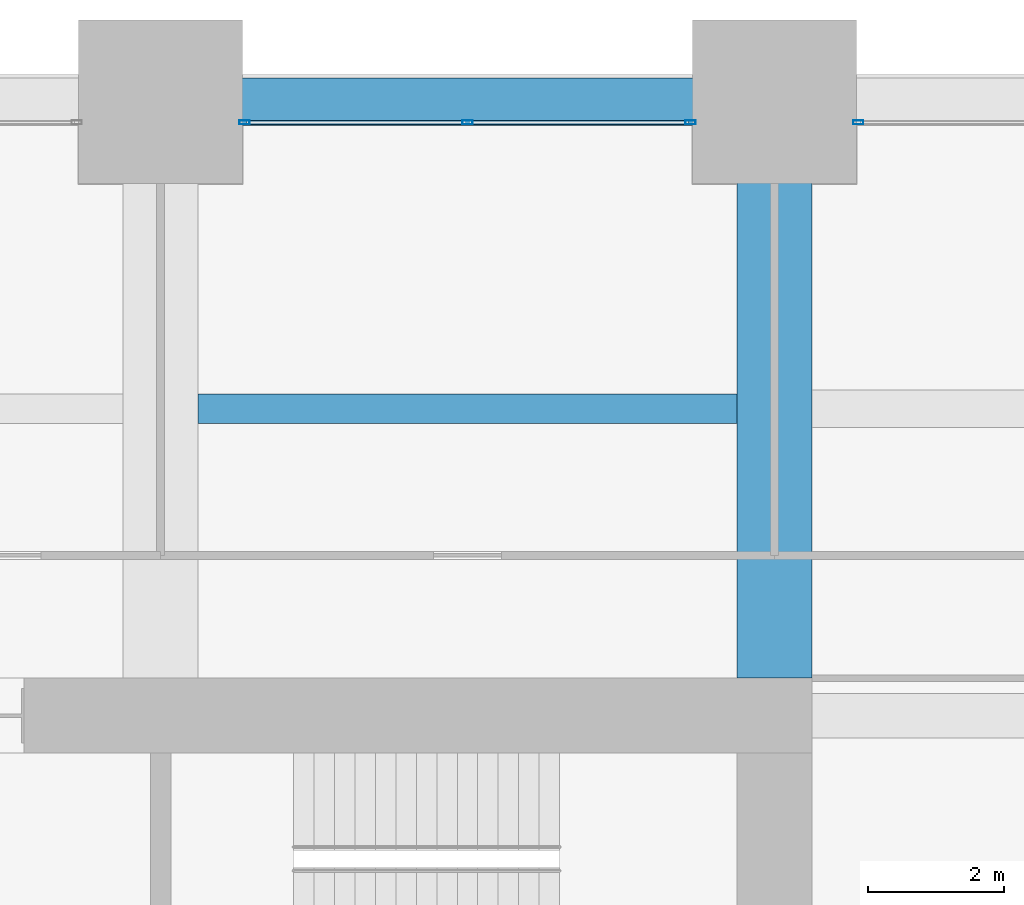
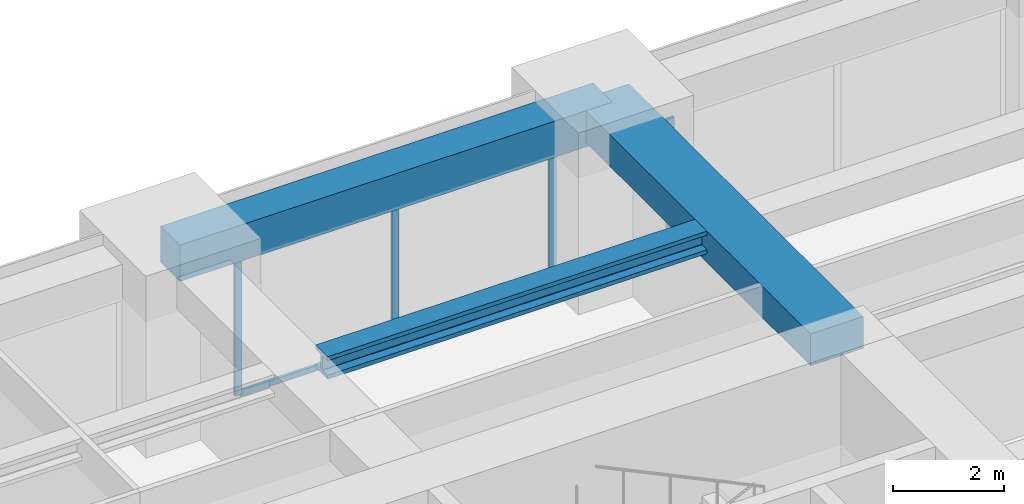
# One storey, part 30 of 41: 5 members, 3 beams, 2 elements without a shape of their own.
"""IFC4 building model written with IfcOpenShell, lengths in metres."""

from ifc_helpers import new_model, si_unit, direction, frame, origin, origin_2d, place, context, subcontext, project, spatial, rectangle, hollow_rectangle, i_section, extrude, material, material_profile, profile_set, type_object, element, aggregate, save


model = new_model("IFC4")

# Units and contexts
model_context = context("Model", 3, precision=1e-05, world=origin(), true_north=direction((0.0, 1.0)))
body_context = subcontext(model_context, "Body", "Model", "MODEL_VIEW")
ifc_project = project(units=[si_unit("LENGTHUNIT", "METRE"), si_unit("AREAUNIT", "SQUARE_METRE"), si_unit("VOLUMEUNIT", "CUBIC_METRE"), si_unit("PLANEANGLEUNIT", "RADIAN"), si_unit("MASSUNIT", "GRAM", prefix="KILO")], contexts=[model_context])

# Site, building, storey
site_placement = place(None, origin())
site = spatial("IfcSite", under=ifc_project, at=site_placement, CompositionType="ELEMENT")
building_placement = place(site_placement, origin())
building = spatial("IfcBuilding", under=site, at=building_placement, Name="Zorevar Civic Tower", CompositionType="ELEMENT")
storey_placement = place(building_placement, frame((0.0, 0.0, 137.0)))
storey = spatial("IfcBuildingStorey", under=building, at=storey_placement, Name="L33", CompositionType="ELEMENT", Elevation=137.0)

# Beam
ifc_material_1 = material(Name="Concrete C50/60", Category="concrete")
ifc_material_profile_1 = material_profile(ifc_material_1, rectangle(XDim=1.10009765625, YDim=0.699951171875, at=origin_2d()), Name="RC 1100x700")
ifc_profile_set_1 = profile_set([ifc_material_profile_1], Name="Concrete C50/60")
beam_type_1 = type_object("IfcBeamType", Name="Beam RC 1100x700", PredefinedType="BEAM", material=ifc_profile_set_1)
beam_1_placement = place(storey_placement, frame((45.0, 36.550048828125, 3.39990234375), z_axis=(0.0, 1.0, 0.0), x_axis=(-1.0, 0.0, 0.0)))
element("IfcBeam", 1, at=beam_1_placement, inside=storey, type_object=beam_type_1, Name="Girder L34", PredefinedType="BEAM", context=body_context, shape_type="SweptSolid", body=[
    extrude(rectangle(XDim=1.10009765625, YDim=0.699951171875, at=origin_2d()), origin(), (0.0, 0.0, 1.0), 8.449951171875),
])

# Curtain wall, members
ifc_material_2 = material(Name="Dark grey solar-control glass in black aluminium frame", Category="aluminium")
curtain_wall_type = type_object("IfcCurtainWallType", Name="Curtain wall CW3 mid zone", PredefinedType="NOTDEFINED", material=ifc_material_2)
curtain_wall_1_placement = place(storey_placement, origin())
curtain_wall_1 = element("IfcCurtainWall", 2, at=curtain_wall_1_placement, inside=storey, type_object=curtain_wall_type, Name="CW3 L33", PredefinedType="NOTDEFINED")
ifc_material_3 = material(Name="Aluminium, black anodised", Category="aluminium")
ifc_material_profile_2 = material_profile(ifc_material_3, hollow_rectangle(XDim=0.06005859375, YDim=0.14990234375, WallThickness=0.00390625, at=origin_2d()), Name="AL 150x60x4")
ifc_profile_set_2 = profile_set([ifc_material_profile_2], Name="Aluminium, black anodised")
member_type_1 = type_object("IfcMemberType", Name="CW3 mullion AL 150x60x4", PredefinedType="MULLION", material=ifc_profile_set_2)
member_1_placement = place(storey_placement, frame((37.22998046875, 44.699951171875, 0.0), z_axis=(0.0, 0.0, 1.0), x_axis=(0.0, 1.0, 0.0)))
member_1 = element("IfcMember", 3, at=member_1_placement, type_object=member_type_1, Name="CW3 mullion 1", PredefinedType="MULLION", context=body_context, shape_type="SweptSolid", body=[
    extrude(hollow_rectangle(XDim=0.06005859375, YDim=0.14990234375, WallThickness=0.00390625, at=origin_2d()), origin(), (0.0, 0.0, 1.0), 2.949951171875),
])
member_2_placement = place(storey_placement, frame((40.5, 44.699951171875, 0.06005859375), z_axis=(0.0, 0.0, 1.0), x_axis=(0.0, 1.0, 0.0)))
member_2 = element("IfcMember", 4, at=member_2_placement, type_object=member_type_1, Name="CW3 mullion 2", PredefinedType="MULLION", context=body_context, shape_type="SweptSolid", body=[
    extrude(hollow_rectangle(XDim=0.06005859375, YDim=0.14990234375, WallThickness=0.00390625, at=origin_2d()), origin(), (0.0, 0.0, 1.0), 2.889892578125),
])
member_3_placement = place(storey_placement, frame((43.77001953125, 44.699951171875, 0.0), z_axis=(0.0, 0.0, 1.0), x_axis=(0.0, 1.0, 0.0)))
member_3 = element("IfcMember", 5, at=member_3_placement, type_object=member_type_1, Name="CW3 mullion 3", PredefinedType="MULLION", context=body_context, shape_type="SweptSolid", body=[
    extrude(hollow_rectangle(XDim=0.06005859375, YDim=0.14990234375, WallThickness=0.00390625, at=origin_2d()), origin(), (0.0, 0.0, 1.0), 2.949951171875),
])

# Curtain wall, member
curtain_wall_2_placement = place(storey_placement, origin())
curtain_wall_2 = element("IfcCurtainWall", 6, at=curtain_wall_2_placement, inside=storey, type_object=curtain_wall_type, Name="CW3 L33", PredefinedType="NOTDEFINED")
member_4_placement = place(storey_placement, frame((46.22998046875, 44.699951171875, 0.0), z_axis=(0.0, 0.0, 1.0), x_axis=(0.0, 1.0, 0.0)))
member_4 = element("IfcMember", 7, at=member_4_placement, type_object=member_type_1, Name="CW3 mullion 1", PredefinedType="MULLION", context=body_context, shape_type="SweptSolid", body=[
    extrude(hollow_rectangle(XDim=0.06005859375, YDim=0.14990234375, WallThickness=0.00390625, at=origin_2d()), origin(), (0.0, 0.0, 1.0), 2.949951171875),
])
aggregate(curtain_wall_2, [member_4])

# Member
ifc_material_4 = material(Name="Aluminium, black anodised", Category="aluminium")
ifc_material_profile_3 = material_profile(ifc_material_4, hollow_rectangle(XDim=0.06005859375, YDim=0.1201171875, WallThickness=0.0029296875, at=origin_2d()), Name="AL 120x60x3")
ifc_profile_set_3 = profile_set([ifc_material_profile_3], Name="Aluminium, black anodised")
member_type_2 = type_object("IfcMemberType", Name="CW3 transom AL 120x60x3", PredefinedType="USERDEFINED", material=ifc_profile_set_3)
member_5_placement = place(storey_placement, frame((37.260009765625, 44.699951171875, 0.030029296875), z_axis=(1.0, 0.0, 0.0), x_axis=(0.0, 1.0, 0.0)))
member_5 = element("IfcMember", 8, at=member_5_placement, type_object=member_type_2, Name="CW3 sill transom", ObjectType="TRANSOM", PredefinedType="USERDEFINED", context=body_context, shape_type="SweptSolid", body=[
    extrude(hollow_rectangle(XDim=0.06005859375, YDim=0.1201171875, WallThickness=0.0029296875, at=origin_2d()), origin(), (0.0, 0.0, 1.0), 6.47998046875),
])

aggregate(curtain_wall_1, [member_1, member_2, member_3, member_5])

# Beams
ifc_material_5 = material(Name="Steel S460M (HISTAR 460)", Category="steel")
ifc_material_profile_4 = material_profile(ifc_material_5, i_section(OverallWidth=0.431884765625, OverallDepth=0.498046875, WebThickness=0.0556640625, FlangeThickness=0.0888671875, FilletRadius=0.014892578125, at=origin_2d()), Name="HD 400x744")
ifc_profile_set_4 = profile_set([ifc_material_profile_4], Name="Steel S460M (HISTAR 460)")
beam_type_2 = type_object("IfcBeamType", Name="Core bay beam HD 400x744", PredefinedType="BEAM", material=ifc_profile_set_4)
beam_2_placement = place(storey_placement, frame((36.550048828125, 40.5, 3.5009765625), z_axis=(1.0, 0.0, 0.0), x_axis=(0.0, 1.0, 0.0)))
element("IfcBeam", 9, at=beam_2_placement, inside=storey, type_object=beam_type_2, Name="Secondary beam L34", PredefinedType="BEAM", context=body_context, shape_type="SweptSolid", body=[
    extrude(i_section(OverallWidth=0.431884765625, OverallDepth=0.498046875, WebThickness=0.0556640625, FlangeThickness=0.0888671875, FilletRadius=0.014892578125, at=origin_2d()), origin(), (0.0, 0.0, 1.0), 7.89990234375),
])
ifc_material_6 = material(Name="Concrete C50/60", Category="concrete")
ifc_material_profile_5 = material_profile(ifc_material_6, rectangle(XDim=0.699951171875, YDim=0.800048828125, at=origin_2d()), Name="RC 700x800")
ifc_profile_set_5 = profile_set([ifc_material_profile_5], Name="Concrete C50/60")
beam_type_3 = type_object("IfcBeamType", Name="Edge beam RC 700x800", PredefinedType="SPANDREL", material=ifc_profile_set_5)
beam_3_placement = place(storey_placement, frame((36.0, 45.0, 3.35009765625), z_axis=(1.0, 0.0, 0.0), x_axis=(0.0, 1.0, 0.0)))
element("IfcBeam", 10, at=beam_3_placement, inside=storey, type_object=beam_type_3, Name="Edge beam L34", PredefinedType="SPANDREL", context=body_context, shape_type="SweptSolid", body=[
    extrude(rectangle(XDim=0.699951171875, YDim=0.800048828125, at=origin_2d()), origin(), (0.0, 0.0, 1.0), 9.0),
])

save(model, "model.ifc")
